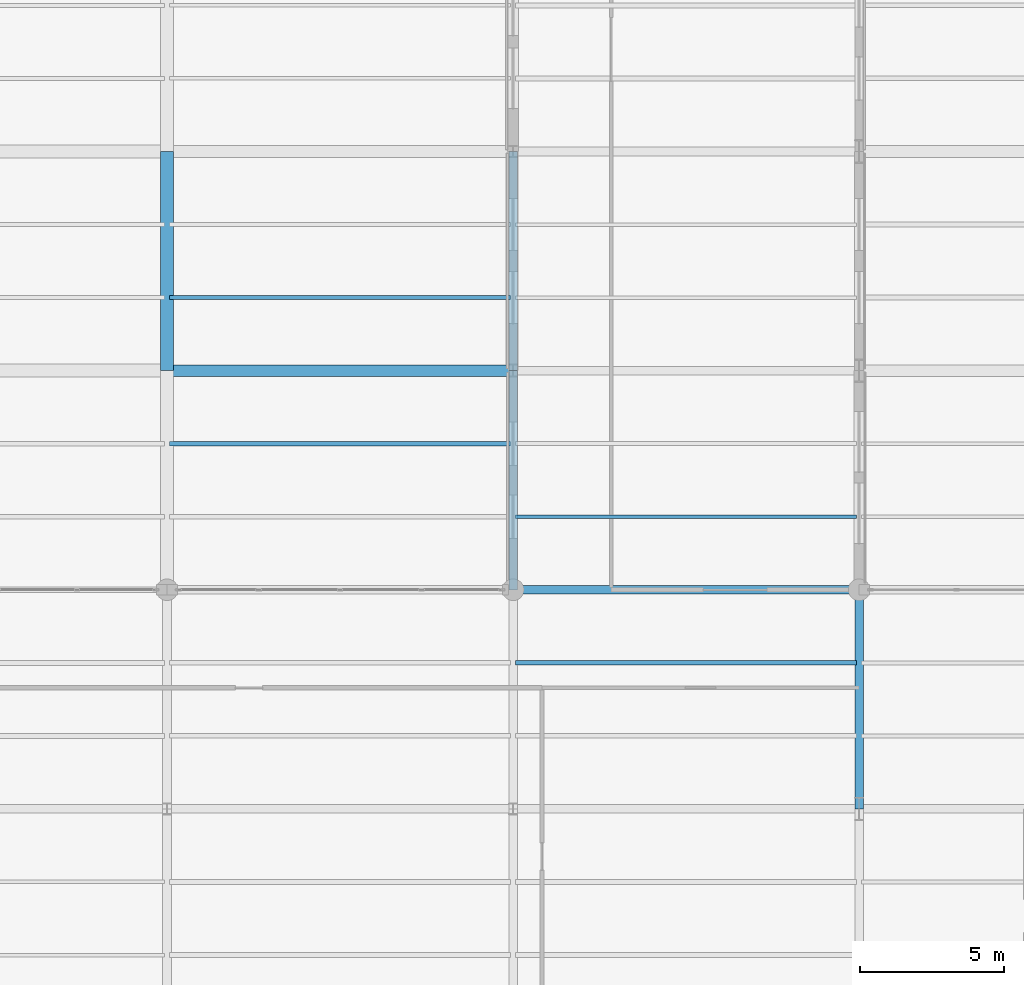
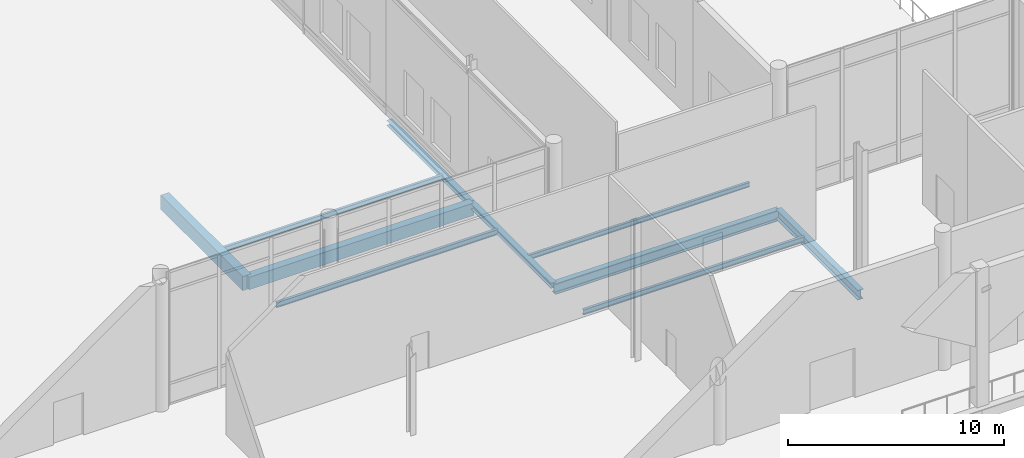
# One storey, part 84 of 176: 10 beams.
"""IFC4 building model written with IfcOpenShell, lengths in metres."""

from ifc_helpers import new_model, si_unit, direction, frame, origin, origin_2d, place, context, subcontext, project, spatial, rectangle, i_section, extrude, material, material_profile, profile_set, type_object, element, save


model = new_model("IFC4")

# Units and contexts
model_context = context("Model", 3, precision=1e-05, world=origin(), true_north=direction((0.0, 1.0)))
body_context = subcontext(model_context, "Body", "Model", "MODEL_VIEW")
ifc_project = project(units=[si_unit("LENGTHUNIT", "METRE"), si_unit("AREAUNIT", "SQUARE_METRE"), si_unit("VOLUMEUNIT", "CUBIC_METRE"), si_unit("PLANEANGLEUNIT", "RADIAN"), si_unit("MASSUNIT", "GRAM", prefix="KILO")], contexts=[model_context])

# Site, building, storey
site_placement = place(None, origin())
site = spatial("IfcSite", under=ifc_project, at=site_placement, CompositionType="ELEMENT")
building_placement = place(site_placement, origin())
building = spatial("IfcBuilding", under=site, at=building_placement, Name="Vekula Escarpment Museum", CompositionType="ELEMENT")
storey_placement = place(building_placement, origin())
storey = spatial("IfcBuildingStorey", under=building, at=storey_placement, Name="L01", CompositionType="ELEMENT", Elevation=0.0)

# Beams
ifc_material_1 = material(Name="Steel S355", Category="steel")
ifc_material_profile_1 = material_profile(ifc_material_1, i_section(OverallWidth=0.300048828125, OverallDepth=0.550048828125, WebThickness=0.014892578125, FlangeThickness=0.029052734375, FilletRadius=0.027099609375, at=origin_2d()), Name="HEB 550")
ifc_profile_set_1 = profile_set([ifc_material_profile_1], Name="Steel S355")
beam_type_1 = type_object("IfcBeamType", Name="BM-GIRD-HEB550", PredefinedType="BEAM", material=ifc_profile_set_1)
beam_1_placement = place(storey_placement, frame((179.0, 7.60009765625, -0.574951171875), z_axis=(0.0, 1.0, 0.0), x_axis=(-1.0, 0.0, 0.0)))
element("IfcBeam", 1, at=beam_1_placement, inside=storey, type_object=beam_type_1, Name="Beam Y L01 0745", PredefinedType="BEAM", context=body_context, shape_type="SweptSolid", body=[
    extrude(i_section(OverallWidth=0.300048828125, OverallDepth=0.550048828125, WebThickness=0.014892578125, FlangeThickness=0.029052734375, FilletRadius=0.027099609375, at=origin_2d()), origin(), (0.0, 0.0, 1.0), 7.599853515625),
])
ifc_material_2 = material(Name="Steel S355", Category="steel")
ifc_material_profile_2 = material_profile(ifc_material_2, i_section(OverallWidth=0.300048828125, OverallDepth=0.60009765625, WebThickness=0.015380859375, FlangeThickness=0.030029296875, FilletRadius=0.027099609375, at=origin_2d()), Name="HEB 600")
ifc_profile_set_2 = profile_set([ifc_material_profile_2], Name="Steel S355")
beam_type_2 = type_object("IfcBeamType", Name="BM-GIRD-HEB600", PredefinedType="BEAM", material=ifc_profile_set_2)
beam_2_placement = place(storey_placement, frame((167.0, 15.199951171875, -0.60009765625), z_axis=(1.0, 0.0, 0.0), x_axis=(0.0, 1.0, 0.0)))
element("IfcBeam", 2, at=beam_2_placement, inside=storey, type_object=beam_type_2, Name="Beam X L01 0066", PredefinedType="BEAM", context=body_context, shape_type="SweptSolid", body=[
    extrude(i_section(OverallWidth=0.300048828125, OverallDepth=0.60009765625, WebThickness=0.015380859375, FlangeThickness=0.030029296875, FilletRadius=0.027099609375, at=origin_2d()), origin(), (0.0, 0.0, 1.0), 12.0),
])
ifc_material_3 = material(Name="Steel S355", Category="steel")
ifc_material_profile_3 = material_profile(ifc_material_3, i_section(OverallWidth=0.135009765625, OverallDepth=0.27001953125, WebThickness=0.006591796875, FlangeThickness=0.01025390625, FilletRadius=0.014892578125, at=origin_2d()), Name="IPE 270")
ifc_profile_set_3 = profile_set([ifc_material_profile_3], Name="Steel S355")
beam_type_3 = type_object("IfcBeamType", Name="BM-JST-IPE270", PredefinedType="JOIST", material=ifc_profile_set_3)
for number, where, z_axis, x_axis, name in (
    (3, (155.090087890625, 25.333251953125, -0.43505859375), (1.0, 0.0, 0.0), (0.0, 1.0, 0.0), "Secondary Joist L01 0513"),
    (4, (167.090087890625, 17.7333984375, -0.43505859375), (1.0, 0.0, 0.0), (0.0, 1.0, 0.0), "Secondary Joist L01 0543"),
):
    element("IfcBeam", number, at=place(storey_placement, frame(where, z_axis=z_axis, x_axis=x_axis)), inside=storey, type_object=beam_type_3, Name=name, PredefinedType="JOIST", context=body_context, shape_type="SweptSolid", body=[
        extrude(i_section(OverallWidth=0.135009765625, OverallDepth=0.27001953125, WebThickness=0.006591796875, FlangeThickness=0.01025390625, FilletRadius=0.014892578125, at=origin_2d()), origin(), (0.0, 0.0, 1.0), 11.81982421875),
    ])
ifc_material_4 = material(Name="Steel S355", Category="steel")
ifc_material_profile_4 = material_profile(ifc_material_4, i_section(OverallWidth=0.14990234375, OverallDepth=0.300048828125, WebThickness=0.007080078125, FlangeThickness=0.0107421875, FilletRadius=0.014892578125, at=origin_2d()), Name="IPE 300")
ifc_profile_set_4 = profile_set([ifc_material_profile_4], Name="Steel S355")
beam_type_4 = type_object("IfcBeamType", Name="BM-JST-IPE300", PredefinedType="JOIST", material=ifc_profile_set_4)
for number, where, z_axis, x_axis, name in (
    (5, (155.090087890625, 20.2666015625, -0.449951171875), (1.0, 0.0, 0.0), (0.0, 1.0, 0.0), "Secondary Joist L01 0512"),
    (6, (167.090087890625, 12.666748046875, -0.449951171875), (1.0, 0.0, 0.0), (0.0, 1.0, 0.0), "Secondary Joist L01 0542"),
):
    element("IfcBeam", number, at=place(storey_placement, frame(where, z_axis=z_axis, x_axis=x_axis)), inside=storey, type_object=beam_type_4, Name=name, PredefinedType="JOIST", context=body_context, shape_type="SweptSolid", body=[
        extrude(i_section(OverallWidth=0.14990234375, OverallDepth=0.300048828125, WebThickness=0.007080078125, FlangeThickness=0.0107421875, FilletRadius=0.014892578125, at=origin_2d()), origin(), (0.0, 0.0, 1.0), 11.81982421875),
    ])
ifc_material_5 = material(Name="Concrete C35/45", Category="concrete")
ifc_material_profile_5 = material_profile(ifc_material_5, rectangle(XDim=0.449951171875, YDim=0.800048828125, at=origin_2d()), Name="RC 450x800")
ifc_profile_set_5 = profile_set([ifc_material_profile_5], Name="Concrete C35/45")
beam_type_5 = type_object("IfcBeamType", Name="BM-PLINTH-RC", PredefinedType="BEAM", material=ifc_profile_set_5)
beam_3_placement = place(storey_placement, frame((155.0, 22.800048828125, -0.699951171875), z_axis=(0.0, 1.0, 0.0), x_axis=(-1.0, 0.0, 0.0)))
element("IfcBeam", 7, at=beam_3_placement, inside=storey, type_object=beam_type_5, Name="Beam Y L01 0709", PredefinedType="BEAM", context=body_context, shape_type="SweptSolid", body=[
    extrude(rectangle(XDim=0.449951171875, YDim=0.800048828125, at=origin_2d()), origin(), (0.0, 0.0, 1.0), 7.599853515625),
])
ifc_material_6 = material(Name="Concrete C35/45", Category="concrete")
ifc_material_profile_6 = material_profile(ifc_material_6, rectangle(XDim=0.39990234375, YDim=0.699951171875, at=origin_2d()), Name="RC 400x700")
ifc_profile_set_6 = profile_set([ifc_material_profile_6], Name="Concrete C35/45")
beam_type_6 = type_object("IfcBeamType", Name="BM-PLINTH-RC2", PredefinedType="BEAM", material=ifc_profile_set_6)
beam_4_placement = place(storey_placement, frame((155.0, 22.800048828125, -0.64990234375), z_axis=(1.0, 0.0, 0.0), x_axis=(0.0, 1.0, 0.0)))
element("IfcBeam", 8, at=beam_4_placement, inside=storey, type_object=beam_type_6, Name="Beam X L01 0081", PredefinedType="BEAM", context=body_context, shape_type="SweptSolid", body=[
    extrude(rectangle(XDim=0.39990234375, YDim=0.699951171875, at=origin_2d()), origin(), (0.0, 0.0, 1.0), 12.0),
])
ifc_material_7 = material(Name="Steel S355", Category="steel")
ifc_material_profile_7 = material_profile(ifc_material_7, i_section(OverallWidth=0.300048828125, OverallDepth=0.2900390625, WebThickness=0.008544921875, FlangeThickness=0.013916015625, FilletRadius=0.027099609375, at=origin_2d()), Name="HEA 300")
ifc_profile_set_7 = profile_set([ifc_material_profile_7], Name="Steel S355")
beam_type_7 = type_object("IfcBeamType", Name="BM-SPAN-HEA300", PredefinedType="SPANDREL", material=ifc_profile_set_7)
beam_5_placement = place(storey_placement, frame((167.0, 15.199951171875, -0.445068359375), z_axis=(0.0, 1.0, 0.0), x_axis=(-1.0, 0.0, 0.0)))
element("IfcBeam", 9, at=beam_5_placement, inside=storey, type_object=beam_type_7, Name="Beam Y L01 0727", PredefinedType="SPANDREL", context=body_context, shape_type="SweptSolid", body=[
    extrude(i_section(OverallWidth=0.300048828125, OverallDepth=0.2900390625, WebThickness=0.008544921875, FlangeThickness=0.013916015625, FilletRadius=0.027099609375, at=origin_2d()), origin(), (0.0, 0.0, 1.0), 7.60009765625),
])
beam_6_placement = place(storey_placement, frame((167.0, 22.800048828125, -0.445068359375), z_axis=(0.0, 1.0, 0.0), x_axis=(-1.0, 0.0, 0.0)))
element("IfcBeam", 10, at=beam_6_placement, inside=storey, type_object=beam_type_7, Name="Beam Y L01 0728", PredefinedType="SPANDREL", context=body_context, shape_type="SweptSolid", body=[
    extrude(i_section(OverallWidth=0.300048828125, OverallDepth=0.2900390625, WebThickness=0.008544921875, FlangeThickness=0.013916015625, FilletRadius=0.027099609375, at=origin_2d()), origin(), (0.0, 0.0, 1.0), 7.599853515625),
])

save(model, "model.ifc")
